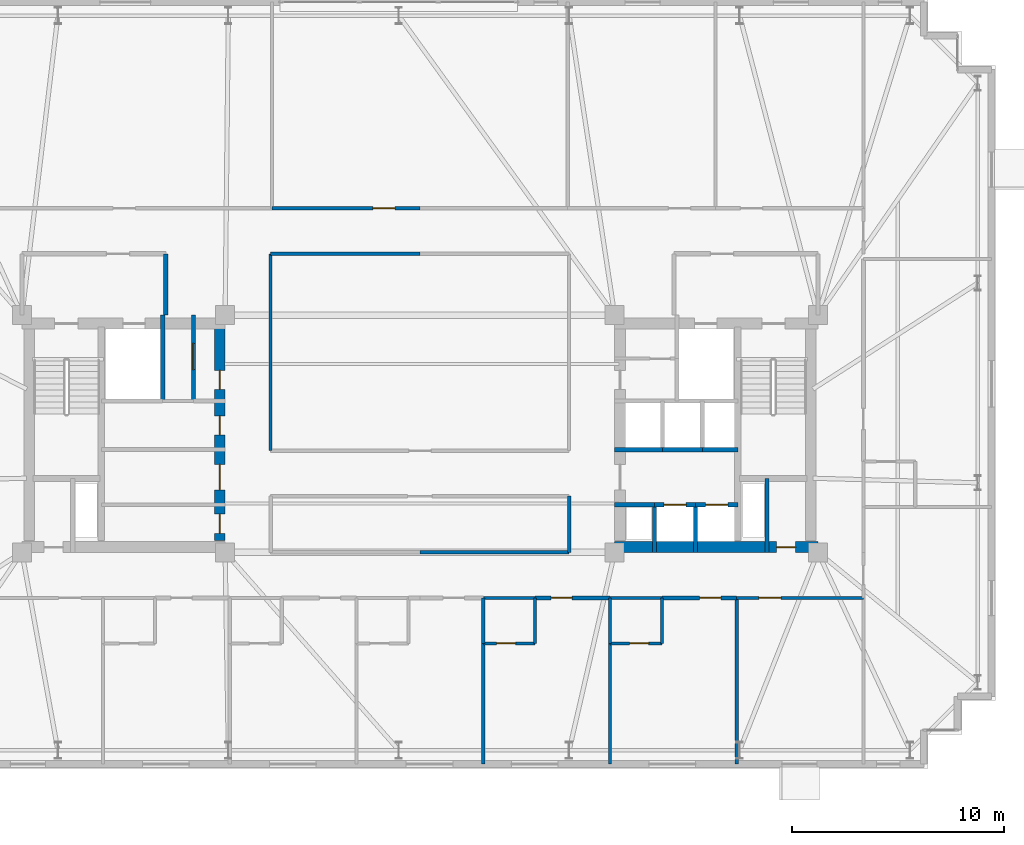
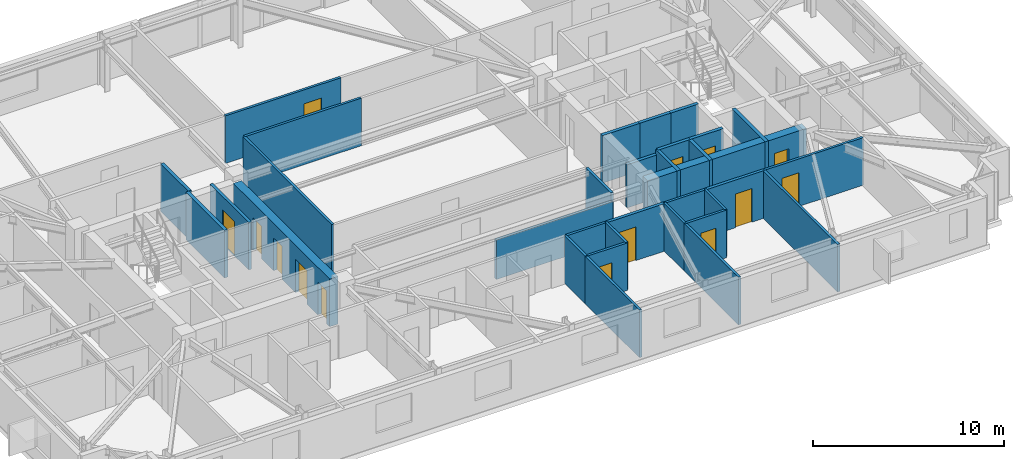
# One storey, part 14 of 18: 33 walls, 14 doors, 14 openings.
"""IFC4 building model written with IfcOpenShell, lengths in metres."""

from ifc_helpers import new_model, si_unit, direction, frame, frame_2d, origin, place, context, subcontext, project, spatial, rectangle, extrude, material, layer, layer_set, type_object, element, fill, save


model = new_model("IFC4")

# Units and contexts
model_context = context("Model", 3, precision=1e-05, world=origin(), true_north=direction((0.0, 1.0)))
body_context = subcontext(model_context, "Body", "Model", "MODEL_VIEW")
ifc_project = project(units=[si_unit("LENGTHUNIT", "METRE"), si_unit("AREAUNIT", "SQUARE_METRE"), si_unit("VOLUMEUNIT", "CUBIC_METRE"), si_unit("PLANEANGLEUNIT", "RADIAN"), si_unit("MASSUNIT", "GRAM", prefix="KILO")], contexts=[model_context])

# Site, building, storey
site_placement = place(None, origin())
site = spatial("IfcSite", under=ifc_project, at=site_placement, CompositionType="ELEMENT")
building_placement = place(site_placement, origin())
building = spatial("IfcBuilding", under=site, at=building_placement, Name="Qobustan Lattice House", CompositionType="ELEMENT")
storey_placement = place(building_placement, frame((0.0, 0.0, 154.449951171875)))
storey = spatial("IfcBuildingStorey", under=building, at=storey_placement, Name="L43", CompositionType="ELEMENT", Elevation=154.449951171875)

# Wall, openings, doors
ifc_material_1 = material(Name="Concrete C50/60", Category="concrete")
ifc_layer_1 = layer(ifc_material_1, 0.5)
ifc_layer_set_1 = layer_set([ifc_layer_1], Name="Concrete C50/60")
wall_type_1 = type_object("IfcWallType", Name="WAL-CORE-500", PredefinedType="SHEAR", material=ifc_layer_set_1)
wall_1_placement = place(storey_placement, frame((-9.449951171875, -5.050048828125, 0.0), z_axis=(0.0, 0.0, 1.0), x_axis=(0.0, 1.0, 0.0)))
wall_1 = element("IfcWall", 1, at=wall_1_placement, inside=storey, type_object=wall_type_1, Name="L43 split-core shear wall CW-E", PredefinedType="SHEAR", context=body_context, shape_type="SweptSolid", body=[
    extrude(rectangle(XDim=10.10009765625, YDim=0.5, at=frame_2d((5.050048828125, 0.0))), origin(), (0.0, 0.0, 1.0), 3.0400390625),
])
opening_1_placement = place(wall_1_placement, frame((7.14990234375, 0.0, 0.0)))
opening_1 = element("IfcOpeningElement", 2, at=opening_1_placement, cuts=wall_1, Name="Opening RD-01", PredefinedType="OPENING", context=body_context, shape_type="SweptSolid", body=[
    extrude(rectangle(XDim=0.89990234375, YDim=2.10009765625, at=frame_2d((0.449951171875, 1.050048828125))), frame((0.0, 0.260009765625, 0.0), z_axis=(0.0, -1.0, 0.0), x_axis=(1.0, 0.0, 0.0)), (0.0, 0.0, 1.0), 0.52001953125),
])
opening_2_placement = place(wall_1_placement, frame((2.39990234375, 0.0, 0.0)))
opening_2 = element("IfcOpeningElement", 3, at=opening_2_placement, cuts=wall_1, Name="Opening FD-01", PredefinedType="OPENING", context=body_context, shape_type="SweptSolid", body=[
    extrude(rectangle(XDim=1.199951171875, YDim=2.14990234375, at=frame_2d((0.60009765625, 1.074951171875))), frame((0.0, 0.260009765625, 0.0), z_axis=(0.0, -1.0, 0.0), x_axis=(1.0, 0.0, 0.0)), (0.0, 0.0, 1.0), 0.52001953125),
])
opening_3_placement = place(wall_1_placement, frame((0.35009765625, 0.0, 0.0)))
opening_3 = element("IfcOpeningElement", 4, at=opening_3_placement, cuts=wall_1, Name="Opening RD-01", PredefinedType="OPENING", context=body_context, shape_type="SweptSolid", body=[
    extrude(rectangle(XDim=0.89990234375, YDim=2.10009765625, at=frame_2d((0.449951171875, 1.050048828125))), frame((0.0, 0.260009765625, 0.0), z_axis=(0.0, -1.0, 0.0), x_axis=(1.0, 0.0, 0.0)), (0.0, 0.0, 1.0), 0.52001953125),
])
opening_4_placement = place(wall_1_placement, frame((5.0, 0.0, 0.0)))
opening_4 = element("IfcOpeningElement", 5, at=opening_4_placement, cuts=wall_1, Name="Opening RD-01", PredefinedType="OPENING", context=body_context, shape_type="SweptSolid", body=[
    extrude(rectangle(XDim=0.89990234375, YDim=2.10009765625, at=frame_2d((0.449951171875, 1.050048828125))), frame((0.0, 0.260009765625, 0.0), z_axis=(0.0, -1.0, 0.0), x_axis=(1.0, 0.0, 0.0)), (0.0, 0.0, 1.0), 0.52001953125),
])
ifc_material_2 = material(Name="Persian walnut timber and steel frame door", Category="steel")
door_type_1 = type_object("IfcDoorType", Name="DOR-LOBBY-FD-1200x2150", OperationType="NOTDEFINED", PredefinedType="DOOR", material=ifc_material_2)
door_1_placement = place(opening_2_placement, origin())
door_1 = element("IfcDoor", 6, at=door_1_placement, inside=storey, type_object=door_type_1, Name="L43 West core foyer fire door", OperationType="SINGLE_SWING_LEFT", OverallHeight=2.14990234375, OverallWidth=1.199951171875, PredefinedType="DOOR", context=body_context, shape_type="SweptSolid", body=[
    extrude(rectangle(XDim=1.199951171875, YDim=2.14990234375, at=frame_2d((0.60009765625, 1.074951171875))), frame((0.0, 0.02490234375, 0.0), z_axis=(0.0, -1.0, 0.0), x_axis=(1.0, 0.0, 0.0)), (0.0, 0.0, 1.0), 0.050048828125),
])
fill(opening_2, door_1)
ifc_material_3 = material(Name="Persian walnut timber and steel frame door", Category="steel")
door_type_2 = type_object("IfcDoorType", Name="DOR-RISER-FD-900x2100", OperationType="NOTDEFINED", PredefinedType="DOOR", material=ifc_material_3)
door_2_placement = place(opening_1_placement, origin())
door_2 = element("IfcDoor", 7, at=door_2_placement, inside=storey, type_object=door_type_2, Name="L43 Data comms closet fire door", OperationType="SINGLE_SWING_RIGHT", OverallHeight=2.10009765625, OverallWidth=0.89990234375, PredefinedType="DOOR", context=body_context, shape_type="SweptSolid", body=[
    extrude(rectangle(XDim=0.89990234375, YDim=2.10009765625, at=frame_2d((0.449951171875, 1.050048828125))), frame((0.0, 0.02490234375, 0.0), z_axis=(0.0, -1.0, 0.0), x_axis=(1.0, 0.0, 0.0)), (0.0, 0.0, 1.0), 0.050048828125),
])
fill(opening_1, door_2)
door_3_placement = place(opening_3_placement, origin())
door_3 = element("IfcDoor", 8, at=door_3_placement, inside=storey, type_object=door_type_2, Name="L43 Collaborative study lounge fire door", OperationType="SINGLE_SWING_RIGHT", OverallHeight=2.10009765625, OverallWidth=0.89990234375, PredefinedType="DOOR", context=body_context, shape_type="SweptSolid", body=[
    extrude(rectangle(XDim=0.89990234375, YDim=2.10009765625, at=frame_2d((0.449951171875, 1.050048828125))), frame((0.0, 0.02490234375, 0.0), z_axis=(0.0, -1.0, 0.0), x_axis=(1.0, 0.0, 0.0)), (0.0, 0.0, 1.0), 0.050048828125),
])
fill(opening_3, door_3)
door_4_placement = place(opening_4_placement, origin())
door_4 = element("IfcDoor", 9, at=door_4_placement, inside=storey, type_object=door_type_2, Name="L43 Focus booth pod fire door", OperationType="SINGLE_SWING_LEFT", OverallHeight=2.10009765625, OverallWidth=0.89990234375, PredefinedType="DOOR", context=body_context, shape_type="SweptSolid", body=[
    extrude(rectangle(XDim=0.89990234375, YDim=2.10009765625, at=frame_2d((0.449951171875, 1.050048828125))), frame((0.0, 0.02490234375, 0.0), z_axis=(0.0, -1.0, 0.0), x_axis=(1.0, 0.0, 0.0)), (0.0, 0.0, 1.0), 0.050048828125),
])
fill(opening_4, door_4)

# Wall, opening, door
wall_2_placement = place(storey_placement, frame((9.199951171875, -5.35009765625, 0.0), z_axis=(0.0, 0.0, 1.0), x_axis=(1.0, 0.0, 0.0)))
wall_2 = element("IfcWall", 10, at=wall_2_placement, inside=storey, type_object=wall_type_1, Name="L43 split-core shear wall CE-S", PredefinedType="SHEAR", context=body_context, shape_type="SweptSolid", body=[
    extrude(rectangle(XDim=9.60009765625, YDim=0.5, at=frame_2d((4.800048828125, 0.0))), origin(), (0.0, 0.0, 1.0), 3.0400390625),
])
opening_5_placement = place(wall_2_placement, frame((7.64990234375, 0.0, 0.0)))
opening_5 = element("IfcOpeningElement", 11, at=opening_5_placement, cuts=wall_2, Name="Opening RD-01", PredefinedType="OPENING", context=body_context, shape_type="SweptSolid", body=[
    extrude(rectangle(XDim=0.89990234375, YDim=2.10009765625, at=frame_2d((0.449951171875, 1.050048828125))), frame((0.0, 0.260009765625, 0.0), z_axis=(0.0, -1.0, 0.0), x_axis=(1.0, 0.0, 0.0)), (0.0, 0.0, 1.0), 0.52001953125),
])
door_5_placement = place(opening_5_placement, origin())
door_5 = element("IfcDoor", 12, at=door_5_placement, inside=storey, type_object=door_type_2, Name="L43 core service riser access door E", OperationType="SINGLE_SWING_LEFT", OverallHeight=2.10009765625, OverallWidth=0.89990234375, PredefinedType="DOOR", context=body_context, shape_type="SweptSolid", body=[
    extrude(rectangle(XDim=0.89990234375, YDim=2.10009765625, at=frame_2d((0.449951171875, 1.050048828125))), frame((0.0, 0.02490234375, 0.0), z_axis=(0.0, -1.0, 0.0), x_axis=(1.0, 0.0, 0.0)), (0.0, 0.0, 1.0), 0.050048828125),
])
fill(opening_5, door_5)

ifc_material_4 = material(Name="Gypsum fireboard acoustic partition", Category="gypsum")
ifc_layer_2 = layer(ifc_material_4, 0.179931640625)
ifc_layer_set_2 = layer_set([ifc_layer_2], Name="Gypsum fireboard acoustic partition")
wall_type_2 = type_object("IfcWallType", Name="WAL-FIRE-180", PredefinedType="PARTITIONING", material=ifc_layer_set_2)
wall_3_placement = place(storey_placement, frame((-10.699951171875, 5.60009765625, 0.0), z_axis=(0.0, 0.0, 1.0), x_axis=(0.0, -1.0, 0.0)))
wall_3 = element("IfcWall", 13, at=wall_3_placement, inside=storey, type_object=wall_type_2, Name="L43 interior partition 6", PredefinedType="PARTITIONING", context=body_context, shape_type="SweptSolid", body=[
    extrude(rectangle(XDim=4.050048828125, YDim=0.179931640625, at=frame_2d((2.02490234375, 0.0))), origin(), (0.0, 0.0, 1.0), 3.0400390625),
])
opening_6_placement = place(wall_3_placement, frame((1.324951171875, 0.0, 0.0)))
opening_6 = element("IfcOpeningElement", 14, at=opening_6_placement, cuts=wall_3, Name="Opening FD-03", PredefinedType="OPENING", context=body_context, shape_type="SweptSolid", body=[
    extrude(rectangle(XDim=1.25, YDim=2.199951171875, at=frame_2d((0.625, 1.10009765625))), frame((0.0, 0.099853515625, 0.0), z_axis=(0.0, -1.0, 0.0), x_axis=(1.0, 0.0, 0.0)), (0.0, 0.0, 1.0), 0.199951171875),
])
ifc_material_5 = material(Name="Persian walnut timber and steel frame door", Category="steel")
door_type_3 = type_object("IfcDoorType", Name="DOR-PLANT-1250x2200", OperationType="NOTDEFINED", PredefinedType="DOOR", material=ifc_material_5)
door_6_placement = place(opening_6_placement, origin())
door_6 = element("IfcDoor", 15, at=door_6_placement, inside=storey, type_object=door_type_3, Name="L43 Data comms closet to Linen store door", OperationType="SINGLE_SWING_LEFT", OverallHeight=2.199951171875, OverallWidth=1.25, PredefinedType="DOOR", context=body_context, shape_type="SweptSolid", body=[
    extrude(rectangle(XDim=1.25, YDim=2.199951171875, at=frame_2d((0.625, 1.10009765625))), frame((0.0, 0.02490234375, 0.0), z_axis=(0.0, -1.0, 0.0), x_axis=(1.0, 0.0, 0.0)), (0.0, 0.0, 1.0), 0.050048828125),
])
fill(opening_6, door_6)

wall_4_placement = place(storey_placement, frame((8.97900390625, -7.75, 0.0), z_axis=(0.0, 0.0, 1.0), x_axis=(-1.0, 0.0, 0.0)))
wall_4 = element("IfcWall", 16, at=wall_4_placement, inside=storey, type_object=wall_type_2, Name="L43 interior partition 54", PredefinedType="PARTITIONING", context=body_context, shape_type="SweptSolid", body=[
    extrude(rectangle(XDim=3.535888671875, YDim=0.179931640625, at=frame_2d((1.76806640625, 0.0))), origin(), (0.0, 0.0, 1.0), 3.0400390625),
])
opening_7_placement = place(wall_4_placement, frame((1.783935546875, 0.0, 0.0)))
opening_7 = element("IfcOpeningElement", 17, at=opening_7_placement, cuts=wall_4, Name="Opening FD-02", PredefinedType="OPENING", context=body_context, shape_type="SweptSolid", body=[
    extrude(rectangle(XDim=1.0, YDim=2.14990234375, at=frame_2d((0.5, 1.074951171875))), frame((0.0, 0.099853515625, 0.0), z_axis=(0.0, -1.0, 0.0), x_axis=(1.0, 0.0, 0.0)), (0.0, 0.0, 1.0), 0.199951171875),
])
ifc_material_6 = material(Name="Persian walnut timber and steel frame door", Category="steel")
door_type_4 = type_object("IfcDoorType", Name="DOR-UNIT-FD-1000x2150", OperationType="NOTDEFINED", PredefinedType="DOOR", material=ifc_material_6)
door_7_placement = place(opening_7_placement, origin())
door_7 = element("IfcDoor", 18, at=door_7_placement, inside=storey, type_object=door_type_4, Name="L43 South-east floor corridor to Kitchenette and studio apartment L43-S5 door", OperationType="SINGLE_SWING_RIGHT", OverallHeight=2.14990234375, OverallWidth=1.0, PredefinedType="DOOR", context=body_context, shape_type="SweptSolid", body=[
    extrude(rectangle(XDim=1.0, YDim=2.14990234375, at=frame_2d((0.5, 1.074951171875))), frame((0.0, 0.02490234375, 0.0), z_axis=(0.0, -1.0, 0.0), x_axis=(1.0, 0.0, 0.0)), (0.0, 0.0, 1.0), 0.050048828125),
])
fill(opening_7, door_7)

wall_5_placement = place(storey_placement, frame((14.964111328125, -7.75, 0.0), z_axis=(0.0, 0.0, 1.0), x_axis=(-1.0, 0.0, 0.0)))
wall_5 = element("IfcWall", 19, at=wall_5_placement, inside=storey, type_object=wall_type_2, Name="L43 interior partition 56", PredefinedType="PARTITIONING", context=body_context, shape_type="SweptSolid", body=[
    extrude(rectangle(XDim=3.53515625, YDim=0.179931640625, at=frame_2d((1.767578125, 0.0))), origin(), (0.0, 0.0, 1.0), 3.0400390625),
])
opening_8_placement = place(wall_5_placement, frame((0.751953125, 0.0, 0.0)))
opening_8 = element("IfcOpeningElement", 20, at=opening_8_placement, cuts=wall_5, Name="Opening FD-02", PredefinedType="OPENING", context=body_context, shape_type="SweptSolid", body=[
    extrude(rectangle(XDim=1.0, YDim=2.14990234375, at=frame_2d((0.5, 1.074951171875))), frame((0.0, 0.099853515625, 0.0), z_axis=(0.0, -1.0, 0.0), x_axis=(1.0, 0.0, 0.0)), (0.0, 0.0, 1.0), 0.199951171875),
])
door_8_placement = place(opening_8_placement, origin())
door_8 = element("IfcDoor", 21, at=door_8_placement, inside=storey, type_object=door_type_4, Name="L43 South-east floor corridor to Kitchenette and studio apartment L43-S6 door", OperationType="SINGLE_SWING_LEFT", OverallHeight=2.14990234375, OverallWidth=1.0, PredefinedType="DOOR", context=body_context, shape_type="SweptSolid", body=[
    extrude(rectangle(XDim=1.0, YDim=2.14990234375, at=frame_2d((0.5, 1.074951171875))), frame((0.0, 0.02490234375, 0.0), z_axis=(0.0, -1.0, 0.0), x_axis=(1.0, 0.0, 0.0)), (0.0, 0.0, 1.0), 0.050048828125),
])
fill(opening_8, door_8)

ifc_material_7 = material(Name="Acoustic twin-stud gypsum partition", Category="gypsum")
ifc_layer_3 = layer(ifc_material_7, 0.14990234375)
ifc_layer_set_3 = layer_set([ifc_layer_3], Name="Acoustic twin-stud gypsum partition")
wall_type_3 = type_object("IfcWallType", Name="WAL-PART-150", PredefinedType="PARTITIONING", material=ifc_layer_set_3)
wall_6_placement = place(storey_placement, frame((-6.98291015625, 10.64990234375, 0.0), z_axis=(0.0, 0.0, 1.0), x_axis=(1.0, 0.0, 0.0)))
wall_6 = element("IfcWall", 22, at=wall_6_placement, inside=storey, type_object=wall_type_3, Name="L43 interior partition 36", PredefinedType="PARTITIONING", context=body_context, shape_type="SweptSolid", body=[
    extrude(rectangle(XDim=6.98291015625, YDim=0.14990234375, at=frame_2d((3.491455078125, 0.0))), origin(), (0.0, 0.0, 1.0), 3.0400390625),
])
opening_9_placement = place(wall_6_placement, frame((4.75634765625, 0.0, 0.0)))
opening_9 = element("IfcOpeningElement", 23, at=opening_9_placement, cuts=wall_6, Name="Opening ID-02", PredefinedType="OPENING", context=body_context, shape_type="SweptSolid", body=[
    extrude(rectangle(XDim=1.050048828125, YDim=2.14990234375, at=frame_2d((0.52490234375, 1.074951171875))), frame((0.0, 0.0849609375, 0.0), z_axis=(0.0, -1.0, 0.0), x_axis=(1.0, 0.0, 0.0)), (0.0, 0.0, 1.0), 0.169921875),
])
ifc_material_8 = material(Name="Persian walnut timber and steel frame door", Category="steel")
door_type_5 = type_object("IfcDoorType", Name="DOR-STUDY-1050x2150", OperationType="NOTDEFINED", PredefinedType="DOOR", material=ifc_material_8)
door_9_placement = place(opening_9_placement, origin())
door_9 = element("IfcDoor", 24, at=door_9_placement, inside=storey, type_object=door_type_5, Name="L43 North-west floor corridor to Walnut iwan sky lounge N2 door", OperationType="SINGLE_SWING_RIGHT", OverallHeight=2.14990234375, OverallWidth=1.050048828125, PredefinedType="DOOR", context=body_context, shape_type="SweptSolid", body=[
    extrude(rectangle(XDim=1.050048828125, YDim=2.14990234375, at=frame_2d((0.52490234375, 1.074951171875))), frame((0.0, 0.02490234375, 0.0), z_axis=(0.0, -1.0, 0.0), x_axis=(1.0, 0.0, 0.0)), (0.0, 0.0, 1.0), 0.050048828125),
])
fill(opening_9, door_9)

# Wall
wall_7_placement = place(storey_placement, frame((0.0, 8.5, 0.0), z_axis=(0.0, 0.0, 1.0), x_axis=(-1.0, 0.0, 0.0)))
element("IfcWall", 25, at=wall_7_placement, inside=storey, type_object=wall_type_3, Name="L43 interior partition 37", PredefinedType="PARTITIONING", context=body_context, shape_type="SweptSolid", body=[
    extrude(rectangle(XDim=7.050048828125, YDim=0.14990234375, at=frame_2d((3.52490234375, 0.0))), origin(), (0.0, 0.0, 1.0), 3.0400390625),
])

# Wall, opening, door
wall_8_placement = place(storey_placement, frame((20.949951171875, -7.75, 0.0), z_axis=(0.0, 0.0, 1.0), x_axis=(-1.0, 0.0, 0.0)))
wall_8 = element("IfcWall", 26, at=wall_8_placement, inside=storey, type_object=wall_type_3, Name="L43 interior partition 58", PredefinedType="PARTITIONING", context=body_context, shape_type="SweptSolid", body=[
    extrude(rectangle(XDim=5.98583984375, YDim=0.14990234375, at=frame_2d((2.992919921875, 0.0))), origin(), (0.0, 0.0, 1.0), 3.0400390625),
])
opening_10_placement = place(wall_8_placement, frame((3.884033203125, 0.0, 0.0)))
opening_10 = element("IfcOpeningElement", 27, at=opening_10_placement, cuts=wall_8, Name="Opening ID-02", PredefinedType="OPENING", context=body_context, shape_type="SweptSolid", body=[
    extrude(rectangle(XDim=1.050048828125, YDim=2.14990234375, at=frame_2d((0.52490234375, 1.074951171875))), frame((0.0, 0.0849609375, 0.0), z_axis=(0.0, -1.0, 0.0), x_axis=(1.0, 0.0, 0.0)), (0.0, 0.0, 1.0), 0.169921875),
])
door_10_placement = place(opening_10_placement, origin())
door_10 = element("IfcDoor", 28, at=door_10_placement, inside=storey, type_object=door_type_5, Name="L43 South-east floor corridor to Group study room door", OperationType="SINGLE_SWING_RIGHT", OverallHeight=2.14990234375, OverallWidth=1.050048828125, PredefinedType="DOOR", context=body_context, shape_type="SweptSolid", body=[
    extrude(rectangle(XDim=1.050048828125, YDim=2.14990234375, at=frame_2d((0.52490234375, 1.074951171875))), frame((0.0, 0.02490234375, 0.0), z_axis=(0.0, -1.0, 0.0), x_axis=(1.0, 0.0, 0.0)), (0.0, 0.0, 1.0), 0.050048828125),
])
fill(opening_10, door_10)

# Walls
wall_9_placement = place(storey_placement, frame((-7.050048828125, 8.5, 0.0), z_axis=(0.0, 0.0, 1.0), x_axis=(0.0, -1.0, 0.0)))
element("IfcWall", 29, at=wall_9_placement, inside=storey, type_object=wall_type_3, Name="L43 interior partition 66", PredefinedType="PARTITIONING", context=body_context, shape_type="SweptSolid", body=[
    extrude(rectangle(XDim=9.300048828125, YDim=0.14990234375, at=frame_2d((4.64990234375, 0.0))), origin(), (0.0, 0.0, 1.0), 3.0400390625),
])
for number, where, z_axis, x_axis, name in (
    (30, (2.992919921875, -9.89990234375, 0.0), (0.0, 0.0, 1.0), (0.0, -1.0, 0.0), "L43 interior partition 109"),
    (31, (8.97900390625, -9.89990234375, 0.0), (0.0, 0.0, 1.0), (0.0, -1.0, 0.0), "L43 interior partition 113"),
):
    element("IfcWall", number, at=place(storey_placement, frame(where, z_axis=z_axis, x_axis=x_axis)), inside=storey, type_object=wall_type_3, Name=name, PredefinedType="PARTITIONING", context=body_context, shape_type="SweptSolid", body=[
        extrude(rectangle(XDim=5.7001953125, YDim=0.14990234375, at=frame_2d((2.85009765625, 0.0))), origin(), (0.0, 0.0, 1.0), 3.0400390625),
    ])
wall_10_placement = place(storey_placement, frame((14.964111328125, -7.75, 0.0), z_axis=(0.0, 0.0, 1.0), x_axis=(0.0, -1.0, 0.0)))
element("IfcWall", 32, at=wall_10_placement, inside=storey, type_object=wall_type_3, Name="L43 interior partition 117", PredefinedType="PARTITIONING", context=body_context, shape_type="SweptSolid", body=[
    extrude(rectangle(XDim=7.85009765625, YDim=0.14990234375, at=frame_2d((3.925048828125, 0.0))), origin(), (0.0, 0.0, 1.0), 3.0400390625),
])
ifc_material_9 = material(Name="High-mass acoustic twin-stud partition", Category="gypsum")
ifc_layer_4 = layer(ifc_material_9, 0.1650390625)
ifc_layer_set_4 = layer_set([ifc_layer_4], Name="High-mass acoustic twin-stud partition")
wall_type_4 = type_object("IfcWallType", Name="WAL-PART-165", PredefinedType="PARTITIONING", material=ifc_layer_set_4)
wall_11_placement = place(storey_placement, frame((0.0, -5.60009765625, 0.0), z_axis=(0.0, 0.0, 1.0), x_axis=(1.0, 0.0, 0.0)))
element("IfcWall", 33, at=wall_11_placement, inside=storey, type_object=wall_type_4, Name="L43 interior partition 59", PredefinedType="PARTITIONING", context=body_context, shape_type="SweptSolid", body=[
    extrude(rectangle(XDim=7.050048828125, YDim=0.1650390625, at=frame_2d((3.52490234375, 0.0))), origin(), (0.0, 0.0, 1.0), 2.525146484375),
])
wall_12_placement = place(storey_placement, frame((7.050048828125, -5.60009765625, 0.0), z_axis=(0.0, 0.0, 1.0), x_axis=(0.0, 1.0, 0.0)))
element("IfcWall", 34, at=wall_12_placement, inside=storey, type_object=wall_type_4, Name="L43 interior partition 69", PredefinedType="PARTITIONING", context=body_context, shape_type="SweptSolid", body=[
    extrude(rectangle(XDim=2.650146484375, YDim=0.1650390625, at=frame_2d((1.3251953125, 0.0))), origin(), (0.0, 0.0, 1.0), 3.0400390625),
])
ifc_material_10 = material(Name="Two-hour gypsum fireboard acoustic partition", Category="gypsum")
ifc_layer_5 = layer(ifc_material_10, 0.199951171875)
ifc_layer_set_5 = layer_set([ifc_layer_5], Name="Two-hour gypsum fireboard acoustic partition")
wall_type_5 = type_object("IfcWallType", Name="WAL-PROT-200", PredefinedType="PARTITIONING", material=ifc_layer_set_5)
wall_13_placement = place(storey_placement, frame((-12.0, 5.60009765625, 0.0), z_axis=(0.0, 0.0, 1.0), x_axis=(0.0, 1.0, 0.0)))
element("IfcWall", 35, at=wall_13_placement, inside=storey, type_object=wall_type_5, Name="L43 interior partition 5", PredefinedType="PARTITIONING", context=body_context, shape_type="SweptSolid", body=[
    extrude(rectangle(XDim=2.89990234375, YDim=0.199951171875, at=frame_2d((1.449951171875, 0.0))), origin(), (0.0, 0.0, 1.0), 3.0400390625),
])
ifc_material_11 = material(Name="Concrete C40/50", Category="concrete")
ifc_layer_6 = layer(ifc_material_11, 0.199951171875)
ifc_layer_set_6 = layer_set([ifc_layer_6], Name="Concrete C40/50")
wall_type_6 = type_object("IfcWallType", Name="WAL-SHAFT-200", PredefinedType="PARTITIONING", material=ifc_layer_set_6)
wall_14_placement = place(storey_placement, frame((-12.14990234375, 1.550048828125, 0.0), z_axis=(0.0, 0.0, 1.0), x_axis=(0.0, 1.0, 0.0)))
element("IfcWall", 36, at=wall_14_placement, inside=storey, type_object=wall_type_6, Name="L43 interior partition 2", PredefinedType="PARTITIONING", context=body_context, shape_type="SweptSolid", body=[
    extrude(rectangle(XDim=4.050048828125, YDim=0.199951171875, at=frame_2d((2.02490234375, 0.0))), origin(), (0.0, 0.0, 1.0), 3.0400390625),
])
wall_15_placement = place(storey_placement, frame((16.39990234375, -2.110107421875, 0.0), z_axis=(0.0, 0.0, 1.0), x_axis=(0.0, -1.0, 0.0)))
element("IfcWall", 37, at=wall_15_placement, inside=storey, type_object=wall_type_6, Name="L43 interior partition 15", PredefinedType="PARTITIONING", context=body_context, shape_type="SweptSolid", body=[
    extrude(rectangle(XDim=3.489990234375, YDim=0.199951171875, at=frame_2d((1.7451171875, 0.0))), origin(), (0.0, 0.0, 1.0), 3.0400390625),
])
wall_16_placement = place(storey_placement, frame((9.199951171875, -3.35009765625, 0.0), z_axis=(0.0, 0.0, 1.0), x_axis=(1.0, 0.0, 0.0)))
element("IfcWall", 38, at=wall_16_placement, inside=storey, type_object=wall_type_6, Name="L43 interior partition 23", PredefinedType="PARTITIONING", context=body_context, shape_type="SweptSolid", body=[
    extrude(rectangle(XDim=1.880126953125, YDim=0.199951171875, at=frame_2d((0.93994140625, 0.0))), origin(), (0.0, 0.0, 1.0), 2.755126953125),
])

# Wall, opening, door
wall_17_placement = place(storey_placement, frame((11.080078125, -3.35009765625, 0.0), z_axis=(0.0, 0.0, 1.0), x_axis=(1.0, 0.0, 0.0)))
wall_17 = element("IfcWall", 39, at=wall_17_placement, inside=storey, type_object=wall_type_6, Name="L43 interior partition 24", PredefinedType="PARTITIONING", context=body_context, shape_type="SweptSolid", body=[
    extrude(rectangle(XDim=1.93994140625, YDim=0.199951171875, at=frame_2d((0.969970703125, 0.0))), origin(), (0.0, 0.0, 1.0), 3.0400390625),
])
opening_11_placement = place(wall_17_placement, frame((0.445068359375, 0.0, 0.0)))
opening_11 = element("IfcOpeningElement", 40, at=opening_11_placement, cuts=wall_17, Name="Opening LD-01", PredefinedType="OPENING", context=body_context, shape_type="SweptSolid", body=[
    extrude(rectangle(XDim=1.050048828125, YDim=2.10009765625, at=frame_2d((0.52490234375, 1.050048828125))), frame((0.0, 0.10986328125, 0.0), z_axis=(0.0, -1.0, 0.0), x_axis=(1.0, 0.0, 0.0)), (0.0, 0.0, 1.0), 0.219970703125),
])
ifc_material_12 = material(Name="Persian walnut timber and steel frame door", Category="steel")
door_type_6 = type_object("IfcDoorType", Name="DOR-LIFT-LD-1050x2100", OperationType="NOTDEFINED", PredefinedType="DOOR", material=ifc_material_12)
door_11_placement = place(opening_11_placement, origin())
door_11 = element("IfcDoor", 41, at=door_11_placement, inside=storey, type_object=door_type_6, Name="L43 lift landing door", OperationType="DOUBLE_DOOR_SLIDING", OverallHeight=2.10009765625, OverallWidth=1.050048828125, PredefinedType="DOOR", context=body_context, shape_type="SweptSolid", body=[
    extrude(rectangle(XDim=1.050048828125, YDim=2.10009765625, at=frame_2d((0.52490234375, 1.050048828125))), frame((0.0, 0.02490234375, 0.0), z_axis=(0.0, -1.0, 0.0), x_axis=(1.0, 0.0, 0.0)), (0.0, 0.0, 1.0), 0.050048828125),
])
fill(opening_11, door_11)

wall_18_placement = place(storey_placement, frame((13.02001953125, -3.35009765625, 0.0), z_axis=(0.0, 0.0, 1.0), x_axis=(1.0, 0.0, 0.0)))
wall_18 = element("IfcWall", 42, at=wall_18_placement, inside=storey, type_object=wall_type_6, Name="L43 interior partition 25", PredefinedType="PARTITIONING", context=body_context, shape_type="SweptSolid", body=[
    extrude(rectangle(XDim=2.0, YDim=0.199951171875, at=frame_2d((1.0, 0.0))), origin(), (0.0, 0.0, 1.0), 3.0400390625),
])
opening_12_placement = place(wall_18_placement, frame((0.47509765625, 0.0, 0.0)))
opening_12 = element("IfcOpeningElement", 43, at=opening_12_placement, cuts=wall_18, Name="Opening LD-01", PredefinedType="OPENING", context=body_context, shape_type="SweptSolid", body=[
    extrude(rectangle(XDim=1.050048828125, YDim=2.10009765625, at=frame_2d((0.52490234375, 1.050048828125))), frame((0.0, 0.10986328125, 0.0), z_axis=(0.0, -1.0, 0.0), x_axis=(1.0, 0.0, 0.0)), (0.0, 0.0, 1.0), 0.219970703125),
])
door_12_placement = place(opening_12_placement, origin())
door_12 = element("IfcDoor", 44, at=door_12_placement, inside=storey, type_object=door_type_6, Name="L43 lift landing door", OperationType="DOUBLE_DOOR_SLIDING", OverallHeight=2.10009765625, OverallWidth=1.050048828125, PredefinedType="DOOR", context=body_context, shape_type="SweptSolid", body=[
    extrude(rectangle(XDim=1.050048828125, YDim=2.10009765625, at=frame_2d((0.52490234375, 1.050048828125))), frame((0.0, 0.02490234375, 0.0), z_axis=(0.0, -1.0, 0.0), x_axis=(1.0, 0.0, 0.0)), (0.0, 0.0, 1.0), 0.050048828125),
])
fill(opening_12, door_12)

# Walls
wall_19_placement = place(storey_placement, frame((11.4599609375, -0.75, 0.0), z_axis=(0.0, 0.0, 1.0), x_axis=(-1.0, 0.0, 0.0)))
element("IfcWall", 45, at=wall_19_placement, inside=storey, type_object=wall_type_6, Name="L43 interior partition 26", PredefinedType="PARTITIONING", context=body_context, shape_type="SweptSolid", body=[
    extrude(rectangle(XDim=2.260009765625, YDim=0.199951171875, at=frame_2d((1.1298828125, 0.0))), origin(), (0.0, 0.0, 1.0), 3.0400390625),
])
wall_20_placement = place(storey_placement, frame((13.340087890625, -0.75, 0.0), z_axis=(0.0, 0.0, 1.0), x_axis=(-1.0, 0.0, 0.0)))
element("IfcWall", 46, at=wall_20_placement, inside=storey, type_object=wall_type_6, Name="L43 interior partition 27", PredefinedType="PARTITIONING", context=body_context, shape_type="SweptSolid", body=[
    extrude(rectangle(XDim=1.880126953125, YDim=0.199951171875, at=frame_2d((0.93994140625, 0.0))), origin(), (0.0, 0.0, 1.0), 3.0400390625),
])
wall_21_placement = place(storey_placement, frame((15.02001953125, -0.75, 0.0), z_axis=(0.0, 0.0, 1.0), x_axis=(-1.0, 0.0, 0.0)))
element("IfcWall", 47, at=wall_21_placement, inside=storey, type_object=wall_type_6, Name="L43 interior partition 28", PredefinedType="PARTITIONING", context=body_context, shape_type="SweptSolid", body=[
    extrude(rectangle(XDim=1.679931640625, YDim=0.199951171875, at=frame_2d((0.83984375, 0.0))), origin(), (0.0, 0.0, 1.0), 3.0400390625),
])
for number, where, z_axis, x_axis, name in (
    (48, (11.080078125, -5.60009765625, 0.0), (0.0, 0.0, 1.0), (0.0, 1.0, 0.0), "L43 interior partition 30"),
    (49, (13.02001953125, -5.60009765625, 0.0), (0.0, 0.0, 1.0), (0.0, 1.0, 0.0), "L43 interior partition 31"),
):
    element("IfcWall", number, at=place(storey_placement, frame(where, z_axis=z_axis, x_axis=x_axis)), inside=storey, type_object=wall_type_6, Name=name, PredefinedType="PARTITIONING", context=body_context, shape_type="SweptSolid", body=[
        extrude(rectangle(XDim=2.25, YDim=0.199951171875, at=frame_2d((1.125, 0.0))), origin(), (0.0, 0.0, 1.0), 3.0400390625),
    ])
ifc_material_13 = material(Name="Moisture-resistant acoustic plumbing wall", Category="gypsum")
ifc_layer_7 = layer(ifc_material_13, 0.14990234375)
ifc_layer_set_7 = layer_set([ifc_layer_7], Name="Moisture-resistant acoustic plumbing wall")
wall_type_7 = type_object("IfcWallType", Name="WAL-WET-150", PredefinedType="PLUMBINGWALL", material=ifc_layer_set_7)
wall_22_placement = place(storey_placement, frame((5.443115234375, -7.75, 0.0), z_axis=(0.0, 0.0, 1.0), x_axis=(-1.0, 0.0, 0.0)))
element("IfcWall", 50, at=wall_22_placement, inside=storey, type_object=wall_type_7, Name="L43 interior partition 55", PredefinedType="PLUMBINGWALL", context=body_context, shape_type="SweptSolid", body=[
    extrude(rectangle(XDim=2.4501953125, YDim=0.14990234375, at=frame_2d((1.22509765625, 0.0))), origin(), (0.0, 0.0, 1.0), 3.0400390625),
])
wall_23_placement = place(storey_placement, frame((11.428955078125, -7.75, 0.0), z_axis=(0.0, 0.0, 1.0), x_axis=(-1.0, 0.0, 0.0)))
element("IfcWall", 51, at=wall_23_placement, inside=storey, type_object=wall_type_7, Name="L43 interior partition 57", PredefinedType="PLUMBINGWALL", context=body_context, shape_type="SweptSolid", body=[
    extrude(rectangle(XDim=2.449951171875, YDim=0.14990234375, at=frame_2d((1.22509765625, 0.0))), origin(), (0.0, 0.0, 1.0), 3.0400390625),
])
wall_24_placement = place(storey_placement, frame((2.992919921875, -7.75, 0.0), z_axis=(0.0, 0.0, 1.0), x_axis=(0.0, -1.0, 0.0)))
element("IfcWall", 52, at=wall_24_placement, inside=storey, type_object=wall_type_7, Name="L43 interior partition 110", PredefinedType="PLUMBINGWALL", context=body_context, shape_type="SweptSolid", body=[
    extrude(rectangle(XDim=2.14990234375, YDim=0.14990234375, at=frame_2d((1.074951171875, 0.0))), origin(), (0.0, 0.0, 1.0), 3.0400390625),
])

# Wall, opening, door
wall_25_placement = place(storey_placement, frame((2.992919921875, -9.89990234375, 0.0), z_axis=(0.0, 0.0, 1.0), x_axis=(1.0, 0.0, 0.0)))
wall_25 = element("IfcWall", 53, at=wall_25_placement, inside=storey, type_object=wall_type_7, Name="L43 interior partition 111", PredefinedType="PLUMBINGWALL", context=body_context, shape_type="SweptSolid", body=[
    extrude(rectangle(XDim=2.4501953125, YDim=0.14990234375, at=frame_2d((1.22509765625, 0.0))), origin(), (0.0, 0.0, 1.0), 3.0400390625),
])
opening_13_placement = place(wall_25_placement, frame((0.628662109375, 0.0, 0.0)))
opening_13 = element("IfcOpeningElement", 54, at=opening_13_placement, cuts=wall_25, Name="Opening WD-01", PredefinedType="OPENING", context=body_context, shape_type="SweptSolid", body=[
    extrude(rectangle(XDim=0.89990234375, YDim=2.10009765625, at=frame_2d((0.449951171875, 1.050048828125))), frame((0.0, 0.0849609375, 0.0), z_axis=(0.0, -1.0, 0.0), x_axis=(1.0, 0.0, 0.0)), (0.0, 0.0, 1.0), 0.169921875),
])
ifc_material_14 = material(Name="Persian walnut timber and steel frame door", Category="steel")
door_type_7 = type_object("IfcDoorType", Name="DOR-WET-900x2100", OperationType="NOTDEFINED", PredefinedType="DOOR", material=ifc_material_14)
door_13_placement = place(opening_13_placement, origin())
door_13 = element("IfcDoor", 55, at=door_13_placement, inside=storey, type_object=door_type_7, Name="L43 Kitchenette and studio apartment L43-S5 to En-suite bathroom L43-S5 door", OperationType="SINGLE_SWING_LEFT", OverallHeight=2.10009765625, OverallWidth=0.89990234375, PredefinedType="DOOR", context=body_context, shape_type="SweptSolid", body=[
    extrude(rectangle(XDim=0.89990234375, YDim=2.10009765625, at=frame_2d((0.449951171875, 1.050048828125))), frame((0.0, 0.02490234375, 0.0), z_axis=(0.0, -1.0, 0.0), x_axis=(1.0, 0.0, 0.0)), (0.0, 0.0, 1.0), 0.050048828125),
])
fill(opening_13, door_13)

# Walls
for number, where, z_axis, x_axis, name in (
    (56, (5.443115234375, -9.89990234375, 0.0), (0.0, 0.0, 1.0), (0.0, 1.0, 0.0), "L43 interior partition 112"),
    (57, (8.97900390625, -7.75, 0.0), (0.0, 0.0, 1.0), (0.0, -1.0, 0.0), "L43 interior partition 114"),
):
    element("IfcWall", number, at=place(storey_placement, frame(where, z_axis=z_axis, x_axis=x_axis)), inside=storey, type_object=wall_type_7, Name=name, PredefinedType="PLUMBINGWALL", context=body_context, shape_type="SweptSolid", body=[
        extrude(rectangle(XDim=2.14990234375, YDim=0.14990234375, at=frame_2d((1.074951171875, 0.0))), origin(), (0.0, 0.0, 1.0), 3.0400390625),
    ])

# Wall, opening, door
wall_26_placement = place(storey_placement, frame((8.97900390625, -9.89990234375, 0.0), z_axis=(0.0, 0.0, 1.0), x_axis=(1.0, 0.0, 0.0)))
wall_26 = element("IfcWall", 58, at=wall_26_placement, inside=storey, type_object=wall_type_7, Name="L43 interior partition 115", PredefinedType="PLUMBINGWALL", context=body_context, shape_type="SweptSolid", body=[
    extrude(rectangle(XDim=2.449951171875, YDim=0.14990234375, at=frame_2d((1.22509765625, 0.0))), origin(), (0.0, 0.0, 1.0), 3.0400390625),
])
opening_14_placement = place(wall_26_placement, frame((0.92138671875, 0.0, 0.0)))
opening_14 = element("IfcOpeningElement", 59, at=opening_14_placement, cuts=wall_26, Name="Opening WD-01", PredefinedType="OPENING", context=body_context, shape_type="SweptSolid", body=[
    extrude(rectangle(XDim=0.89990234375, YDim=2.10009765625, at=frame_2d((0.449951171875, 1.050048828125))), frame((0.0, 0.0849609375, 0.0), z_axis=(0.0, -1.0, 0.0), x_axis=(1.0, 0.0, 0.0)), (0.0, 0.0, 1.0), 0.169921875),
])
door_14_placement = place(opening_14_placement, origin())
door_14 = element("IfcDoor", 60, at=door_14_placement, inside=storey, type_object=door_type_7, Name="L43 Kitchenette and studio apartment L43-S6 to En-suite bathroom L43-S6 door", OperationType="SINGLE_SWING_RIGHT", OverallHeight=2.10009765625, OverallWidth=0.89990234375, PredefinedType="DOOR", context=body_context, shape_type="SweptSolid", body=[
    extrude(rectangle(XDim=0.89990234375, YDim=2.10009765625, at=frame_2d((0.449951171875, 1.050048828125))), frame((0.0, 0.02490234375, 0.0), z_axis=(0.0, -1.0, 0.0), x_axis=(1.0, 0.0, 0.0)), (0.0, 0.0, 1.0), 0.050048828125),
])
fill(opening_14, door_14)

# Wall
wall_27_placement = place(storey_placement, frame((11.428955078125, -9.89990234375, 0.0), z_axis=(0.0, 0.0, 1.0), x_axis=(0.0, 1.0, 0.0)))
element("IfcWall", 61, at=wall_27_placement, inside=storey, type_object=wall_type_7, Name="L43 interior partition 116", PredefinedType="PLUMBINGWALL", context=body_context, shape_type="SweptSolid", body=[
    extrude(rectangle(XDim=2.14990234375, YDim=0.14990234375, at=frame_2d((1.074951171875, 0.0))), origin(), (0.0, 0.0, 1.0), 3.0400390625),
])

save(model, "model.ifc")
